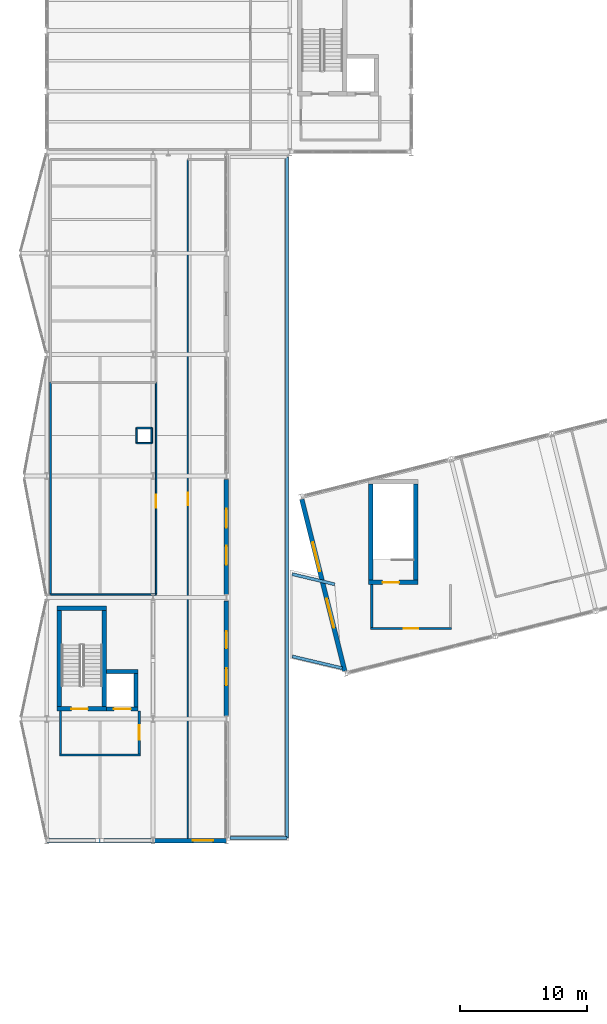
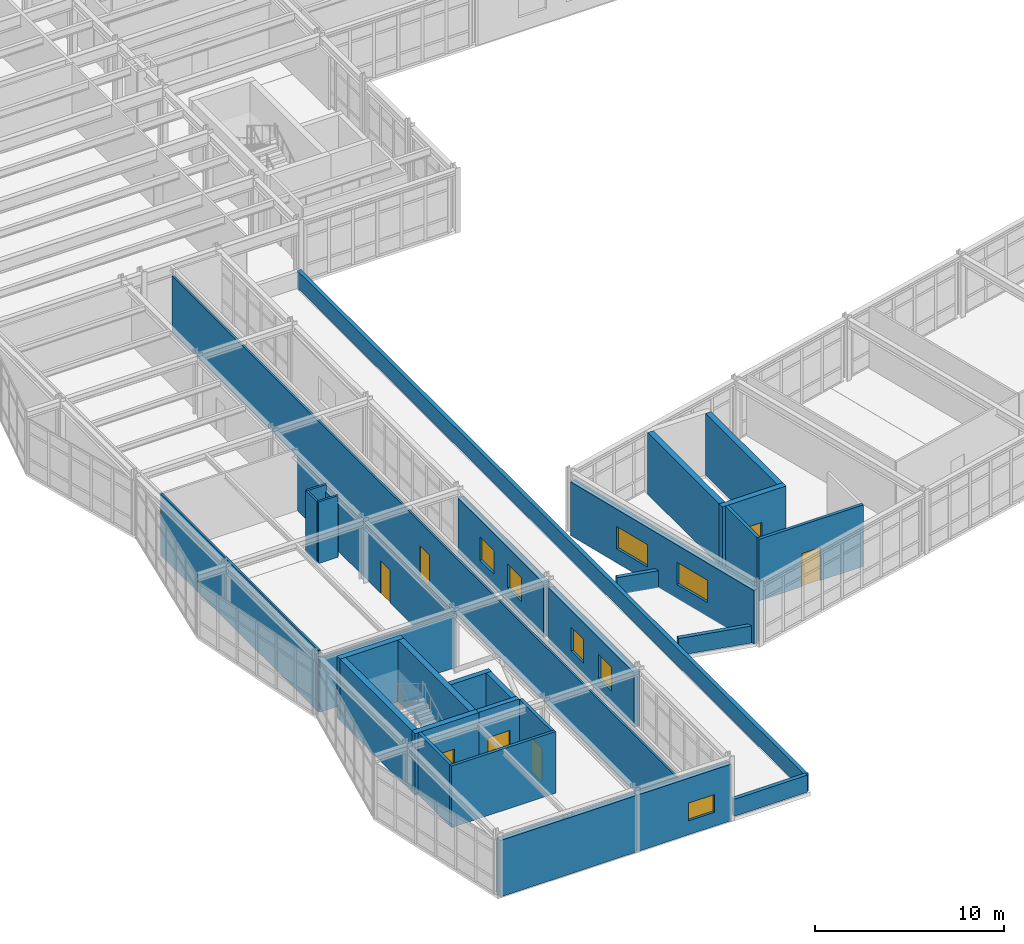
# One storey, part 54 of 64: 32 walls, 7 doors, 7 windows, 14 openings.
"""IFC4 building model written with IfcOpenShell, lengths in metres."""

from ifc_helpers import new_model, si_unit, direction, frame, frame_2d, origin, place, context, subcontext, project, spatial, rectangle, extrude, material, layer, layer_set, type_object, element, fill, save


model = new_model("IFC4")

# Units and contexts
model_context = context("Model", 3, precision=1e-05, world=origin(), true_north=direction((0.0, 1.0)))
body_context = subcontext(model_context, "Body", "Model", "MODEL_VIEW")
ifc_project = project(units=[si_unit("LENGTHUNIT", "METRE"), si_unit("AREAUNIT", "SQUARE_METRE"), si_unit("VOLUMEUNIT", "CUBIC_METRE"), si_unit("PLANEANGLEUNIT", "RADIAN"), si_unit("MASSUNIT", "GRAM", prefix="KILO")], contexts=[model_context])

# Site, building, storey
site_placement = place(None, origin())
site = spatial("IfcSite", under=ifc_project, at=site_placement, CompositionType="ELEMENT")
building_placement = place(site_placement, origin())
building = spatial("IfcBuilding", under=site, at=building_placement, Name="Nordkorset Police Headquarters", CompositionType="ELEMENT")
storey_placement = place(building_placement, frame((0.0, 0.0, 17.85009765625)))
storey = spatial("IfcBuildingStorey", under=building, at=storey_placement, Name="L04", CompositionType="ELEMENT", Elevation=17.85009765625)

# Walls
ifc_material_1 = material(Name="Gypsum board", Category="gypsum")
ifc_layer_1 = layer(ifc_material_1, 0.179931640625, Name="Gypsum board")
ifc_layer_set_1 = layer_set([ifc_layer_1], Name="Gypsum board")
wall_type_1 = type_object("IfcWallType", Name="Wall_Comp_180", PredefinedType="PARTITIONING", material=ifc_layer_set_1)
wall_1_placement = place(storey_placement, frame((1.0, 35.56005859375, 0.0), z_axis=(0.0, 0.0, 1.0), x_axis=(1.0, 0.0, 0.0)))
element("IfcWall", 1, at=wall_1_placement, inside=storey, type_object=wall_type_1, Name="Firefighting Lobby EI 60 Wall K4 L04 S", PredefinedType="PARTITIONING", context=body_context, shape_type="SweptSolid", body=[
    extrude(rectangle(XDim=6.39990234375, YDim=0.179931640625, at=frame_2d((3.199951171875, 0.0))), origin(), (0.0, 0.0, 1.0), 3.989990234375),
])
wall_2_placement = place(storey_placement, frame((1.090087890625, 35.64990234375, 0.0), z_axis=(0.0, 0.0, 1.0), x_axis=(0.0, 1.0, 0.0)))
element("IfcWall", 2, at=wall_2_placement, inside=storey, type_object=wall_type_1, Name="Firefighting Lobby EI 60 Wall K4 L04 W", PredefinedType="PARTITIONING", context=body_context, shape_type="SweptSolid", body=[
    extrude(rectangle(XDim=3.375, YDim=0.179931640625, at=frame_2d((1.6875, 0.0))), origin(), (0.0, 0.0, 1.0), 3.989990234375),
])

# Wall, opening, door
wall_3_placement = place(storey_placement, frame((7.31005859375, 35.64990234375, 0.0), z_axis=(0.0, 0.0, 1.0), x_axis=(0.0, 1.0, 0.0)))
wall_3 = element("IfcWall", 3, at=wall_3_placement, inside=storey, type_object=wall_type_1, Name="Firefighting Lobby EI 60 Wall K4 L04 E", PredefinedType="PARTITIONING", context=body_context, shape_type="SweptSolid", body=[
    extrude(rectangle(XDim=3.375, YDim=0.179931640625, at=frame_2d((1.6875, 0.0))), origin(), (0.0, 0.0, 1.0), 3.989990234375),
])
opening_1_placement = place(wall_3_placement, frame((1.112548828125, 0.0, 0.0)))
opening_1 = element("IfcOpeningElement", 4, at=opening_1_placement, cuts=wall_3, Name="Opening DR-01", PredefinedType="OPENING", context=body_context, shape_type="SweptSolid", body=[
    extrude(rectangle(XDim=1.14990234375, YDim=2.14990234375, at=frame_2d((0.574951171875, 1.074951171875))), frame((0.0, 0.10009765625, 0.0), z_axis=(0.0, -1.0, 0.0), x_axis=(1.0, 0.0, 0.0)), (0.0, 0.0, 1.0), 0.199951171875),
])
ifc_material_2 = material(Name="Steel S355J2", Category="steel")
door_type_1 = type_object("IfcDoorType", Name="Door_LobbySingle_1150x2150", OperationType="NOTDEFINED", PredefinedType="DOOR", material=ifc_material_2)
door_1_placement = place(opening_1_placement, origin())
door_1 = element("IfcDoor", 5, at=door_1_placement, inside=storey, type_object=door_type_1, Name="Firefighting Lobby Smoke Door K4 L04 E", OperationType="SINGLE_SWING_LEFT", OverallHeight=2.14990234375, OverallWidth=1.14990234375, PredefinedType="DOOR", context=body_context, shape_type="SweptSolid", body=[
    extrude(rectangle(XDim=1.14990234375, YDim=2.14990234375, at=frame_2d((0.574951171875, 1.074951171875))), frame((0.0, 0.02490234375, 0.0), z_axis=(0.0, -1.0, 0.0), x_axis=(1.0, 0.0, 0.0)), (0.0, 0.0, 1.0), 0.050048828125),
])
fill(opening_1, door_1)

wall_4_placement = place(storey_placement, frame((25.60009765625, 45.56005859375, 0.0), z_axis=(0.0, 0.0, 1.0), x_axis=(1.0, 0.0, 0.0)))
wall_4 = element("IfcWall", 6, at=wall_4_placement, inside=storey, type_object=wall_type_1, Name="Firefighting Lobby EI 60 Wall K7 L04 S", PredefinedType="PARTITIONING", context=body_context, shape_type="SweptSolid", body=[
    extrude(rectangle(XDim=6.39990234375, YDim=0.179931640625, at=frame_2d((3.199951171875, 0.0))), origin(), (0.0, 0.0, 1.0), 3.989990234375),
])
opening_2_placement = place(wall_4_placement, frame((2.625, 0.0, 0.0)))
opening_2 = element("IfcOpeningElement", 7, at=opening_2_placement, cuts=wall_4, Name="Opening DR-01", PredefinedType="OPENING", context=body_context, shape_type="SweptSolid", body=[
    extrude(rectangle(XDim=1.14990234375, YDim=2.14990234375, at=frame_2d((0.574951171875, 1.074951171875))), frame((0.0, 0.10009765625, 0.0), z_axis=(0.0, -1.0, 0.0), x_axis=(1.0, 0.0, 0.0)), (0.0, 0.0, 1.0), 0.199951171875),
])
door_2_placement = place(opening_2_placement, frame((1.14990234375, 0.0, 0.0), z_axis=(0.0, 0.0, 1.0), x_axis=(-1.0, 0.0, 0.0)))
door_2 = element("IfcDoor", 8, at=door_2_placement, inside=storey, type_object=door_type_1, Name="Firefighting Lobby Smoke Door K7 L04 S", OperationType="SINGLE_SWING_RIGHT", OverallHeight=2.14990234375, OverallWidth=1.14990234375, PredefinedType="DOOR", context=body_context, shape_type="SweptSolid", body=[
    extrude(rectangle(XDim=1.14990234375, YDim=2.14990234375, at=frame_2d((0.574951171875, 1.074951171875))), frame((0.0, 0.02490234375, 0.0), z_axis=(0.0, -1.0, 0.0), x_axis=(1.0, 0.0, 0.0)), (0.0, 0.0, 1.0), 0.050048828125),
])
fill(opening_2, door_2)

# Wall
wall_5_placement = place(storey_placement, frame((25.68994140625, 45.64990234375, 0.0), z_axis=(0.0, 0.0, 1.0), x_axis=(0.0, 1.0, 0.0)))
element("IfcWall", 9, at=wall_5_placement, inside=storey, type_object=wall_type_1, Name="Firefighting Lobby EI 60 Wall K7 L04 W", PredefinedType="PARTITIONING", context=body_context, shape_type="SweptSolid", body=[
    extrude(rectangle(XDim=3.375, YDim=0.179931640625, at=frame_2d((1.6875, 0.0))), origin(), (0.0, 0.0, 1.0), 3.989990234375),
])

# Wall, opening, door
ifc_material_3 = material(Name="Concrete C35/45", Category="concrete")
ifc_layer_2 = layer(ifc_material_3, 0.35009765625, Name="Concrete C35/45")
ifc_layer_set_2 = layer_set([ifc_layer_2], Name="Concrete C35/45")
wall_type_2 = type_object("IfcWallType", Name="Wall_CoreShear_350", PredefinedType="SHEAR", material=ifc_layer_set_2)
wall_6_placement = place(storey_placement, frame((0.824951171875, 39.199951171875, 0.0), z_axis=(0.0, 0.0, 1.0), x_axis=(1.0, 0.0, 0.0)))
wall_6 = element("IfcWall", 10, at=wall_6_placement, inside=storey, type_object=wall_type_2, Name="Core K4 Stair Shaft South Shear Wall L04", PredefinedType="SHEAR", context=body_context, shape_type="SweptSolid", body=[
    extrude(rectangle(XDim=3.900146484375, YDim=0.35009765625, at=frame_2d((1.9501953125, 0.0))), origin(), (0.0, 0.0, 1.0), 3.989990234375),
])
opening_3_placement = place(wall_6_placement, frame((1.125, 0.0, 0.0)))
opening_3 = element("IfcOpeningElement", 11, at=opening_3_placement, cuts=wall_6, Name="Opening DR-20", PredefinedType="OPENING", context=body_context, shape_type="SweptSolid", body=[
    extrude(rectangle(XDim=1.300048828125, YDim=2.14990234375, at=frame_2d((0.64990234375, 1.074951171875))), frame((0.0, 0.18505859375, 0.0), z_axis=(0.0, -1.0, 0.0), x_axis=(1.0, 0.0, 0.0)), (0.0, 0.0, 1.0), 0.3701171875),
])
ifc_material_4 = material(Name="Steel S355J2", Category="steel")
door_type_2 = type_object("IfcDoorType", Name="Door_Stair_1300x2150", OperationType="NOTDEFINED", PredefinedType="DOOR", material=ifc_material_4)
door_3_placement = place(opening_3_placement, frame((1.300048828125, 0.0, 0.0), z_axis=(0.0, 0.0, 1.0), x_axis=(-1.0, 0.0, 0.0)))
door_3 = element("IfcDoor", 12, at=door_3_placement, inside=storey, type_object=door_type_2, Name="Protected Stair Fire Door ST-04 L04", OperationType="SINGLE_SWING_RIGHT", OverallHeight=2.14990234375, OverallWidth=1.300048828125, PredefinedType="DOOR", context=body_context, shape_type="SweptSolid", body=[
    extrude(rectangle(XDim=1.300048828125, YDim=2.14990234375, at=frame_2d((0.64990234375, 1.074951171875))), frame((0.0, 0.02490234375, 0.0), z_axis=(0.0, -1.0, 0.0), x_axis=(1.0, 0.0, 0.0)), (0.0, 0.0, 1.0), 0.050048828125),
])
fill(opening_3, door_3)

# Walls
wall_7_placement = place(storey_placement, frame((0.824951171875, 47.14990234375, 0.0), z_axis=(0.0, 0.0, 1.0), x_axis=(1.0, 0.0, 0.0)))
element("IfcWall", 13, at=wall_7_placement, inside=storey, type_object=wall_type_2, Name="Core K4 Stair Shaft North Shear Wall L04", PredefinedType="SHEAR", context=body_context, shape_type="SweptSolid", body=[
    extrude(rectangle(XDim=3.900146484375, YDim=0.35009765625, at=frame_2d((1.9501953125, 0.0))), origin(), (0.0, 0.0, 1.0), 3.989990234375),
])
for number, where, z_axis, x_axis, name in (
    (14, (1.0, 39.375, 0.0), (0.0, 0.0, 1.0), (0.0, 1.0, 0.0), "Core K4 Stair Shaft West Shear Wall L04"),
    (15, (4.550048828125, 39.375, 0.0), (0.0, 0.0, 1.0), (0.0, 1.0, 0.0), "Core K4 Stair Shaft East Shear Wall L04"),
):
    element("IfcWall", number, at=place(storey_placement, frame(where, z_axis=z_axis, x_axis=x_axis)), inside=storey, type_object=wall_type_2, Name=name, PredefinedType="SHEAR", context=body_context, shape_type="SweptSolid", body=[
        extrude(rectangle(XDim=7.60009765625, YDim=0.35009765625, at=frame_2d((3.800048828125, 0.0))), origin(), (0.0, 0.0, 1.0), 3.989990234375),
    ])

# Wall, opening, door
wall_8_placement = place(storey_placement, frame((25.425048828125, 49.199951171875, 0.0), z_axis=(0.0, 0.0, 1.0), x_axis=(1.0, 0.0, 0.0)))
wall_8 = element("IfcWall", 16, at=wall_8_placement, inside=storey, type_object=wall_type_2, Name="Core K7 Stair Shaft South Shear Wall L04", PredefinedType="SHEAR", context=body_context, shape_type="SweptSolid", body=[
    extrude(rectangle(XDim=3.89990234375, YDim=0.35009765625, at=frame_2d((1.949951171875, 0.0))), origin(), (0.0, 0.0, 1.0), 3.989990234375),
])
opening_4_placement = place(wall_8_placement, frame((1.125, 0.0, 0.0)))
opening_4 = element("IfcOpeningElement", 17, at=opening_4_placement, cuts=wall_8, Name="Opening DR-20", PredefinedType="OPENING", context=body_context, shape_type="SweptSolid", body=[
    extrude(rectangle(XDim=1.300048828125, YDim=2.14990234375, at=frame_2d((0.64990234375, 1.074951171875))), frame((0.0, 0.18505859375, 0.0), z_axis=(0.0, -1.0, 0.0), x_axis=(1.0, 0.0, 0.0)), (0.0, 0.0, 1.0), 0.3701171875),
])
door_4_placement = place(opening_4_placement, frame((1.300048828125, 0.0, 0.0), z_axis=(0.0, 0.0, 1.0), x_axis=(-1.0, 0.0, 0.0)))
door_4 = element("IfcDoor", 18, at=door_4_placement, inside=storey, type_object=door_type_2, Name="Protected Stair Fire Door ST-08 L04", OperationType="SINGLE_SWING_LEFT", OverallHeight=2.14990234375, OverallWidth=1.300048828125, PredefinedType="DOOR", context=body_context, shape_type="SweptSolid", body=[
    extrude(rectangle(XDim=1.300048828125, YDim=2.14990234375, at=frame_2d((0.64990234375, 1.074951171875))), frame((0.0, 0.02490234375, 0.0), z_axis=(0.0, -1.0, 0.0), x_axis=(1.0, 0.0, 0.0)), (0.0, 0.0, 1.0), 0.050048828125),
])
fill(opening_4, door_4)

# Walls
for number, where, z_axis, x_axis, name in (
    (19, (25.60009765625, 49.375, 0.0), (0.0, 0.0, 1.0), (0.0, 1.0, 0.0), "Core K7 Stair Shaft West Shear Wall L04"),
    (20, (29.14990234375, 49.375, 0.0), (0.0, 0.0, 1.0), (0.0, 1.0, 0.0), "Core K7 Stair Shaft East Shear Wall L04"),
):
    element("IfcWall", number, at=place(storey_placement, frame(where, z_axis=z_axis, x_axis=x_axis)), inside=storey, type_object=wall_type_2, Name=name, PredefinedType="SHEAR", context=body_context, shape_type="SweptSolid", body=[
        extrude(rectangle(XDim=7.60009765625, YDim=0.35009765625, at=frame_2d((3.800048828125, 0.0))), origin(), (0.0, 0.0, 1.0), 3.989990234375),
    ])

# Wall, openings, windows
ifc_material_5 = material(Name="Precast concrete C40/50", Category="concrete")
ifc_layer_3 = layer(ifc_material_5, 0.360107421875, Name="Precast concrete C40/50")
ifc_layer_set_3 = layer_set([ifc_layer_3], Name="Precast concrete C40/50")
wall_type_3 = type_object("IfcWallType", Name="Wall_ExtPrecast_360", PredefinedType="SOLIDWALL", material=ifc_layer_set_3)
wall_9_placement = place(storey_placement, frame((14.199951171875, 38.652099609375, 0.0), z_axis=(0.0, 0.0, 1.0), x_axis=(0.0, 1.0, 0.0)))
wall_9 = element("IfcWall", 21, at=wall_9_placement, inside=storey, type_object=wall_type_3, Name="Exterior Insulated Precast Wall L04 V3E-1", PredefinedType="SOLIDWALL", context=body_context, shape_type="SweptSolid", body=[
    extrude(rectangle(XDim=9.095947265625, YDim=0.360107421875, at=frame_2d((4.5478515625, 0.0))), origin(), (0.0, 0.0, 1.0), 3.52978515625),
])
opening_5_placement = place(wall_9_placement, frame((2.40625, 0.0, 0.89990234375)))
opening_5 = element("IfcOpeningElement", 22, at=opening_5_placement, cuts=wall_9, Name="Opening WN-22", PredefinedType="OPENING", context=body_context, shape_type="SweptSolid", body=[
    extrude(rectangle(XDim=1.35009765625, YDim=1.550048828125, at=frame_2d((0.675048828125, 0.77490234375))), frame((0.0, 0.18994140625, 0.0), z_axis=(0.0, -1.0, 0.0), x_axis=(1.0, 0.0, 0.0)), (0.0, 0.0, 1.0), 0.380126953125),
])
opening_6_placement = place(wall_9_placement, frame((5.339599609375, 0.0, 0.89990234375)))
opening_6 = element("IfcOpeningElement", 23, at=opening_6_placement, cuts=wall_9, Name="Opening WN-22", PredefinedType="OPENING", context=body_context, shape_type="SweptSolid", body=[
    extrude(rectangle(XDim=1.35009765625, YDim=1.550048828125, at=frame_2d((0.675048828125, 0.77490234375))), frame((0.0, 0.18994140625, 0.0), z_axis=(0.0, -1.0, 0.0), x_axis=(1.0, 0.0, 0.0)), (0.0, 0.0, 1.0), 0.380126953125),
])
ifc_material_6 = material(Name="Low-iron triple glazing", Category="glass")
window_type_1 = type_object("IfcWindowType", Name="Win_1350x1550", PartitioningType="SINGLE_PANEL", PredefinedType="WINDOW", material=ifc_material_6)
window_1_placement = place(opening_5_placement, origin())
window_1 = element("IfcWindow", 24, at=window_1_placement, inside=storey, type_object=window_type_1, Name="Triple-Glazed Exterior Window L04 V3E-1-1", OverallHeight=1.550048828125, OverallWidth=1.35009765625, PartitioningType="SINGLE_PANEL", PredefinedType="WINDOW", context=body_context, shape_type="SweptSolid", body=[
    extrude(rectangle(XDim=1.35009765625, YDim=1.550048828125, at=frame_2d((0.675048828125, 0.77490234375))), frame((0.0, 0.030029296875, 0.0), z_axis=(0.0, -1.0, 0.0), x_axis=(1.0, 0.0, 0.0)), (0.0, 0.0, 1.0), 0.06005859375),
])
fill(opening_5, window_1)
window_2_placement = place(opening_6_placement, origin())
window_2 = element("IfcWindow", 25, at=window_2_placement, inside=storey, type_object=window_type_1, Name="Triple-Glazed Exterior Window L04 V3E-1-2", OverallHeight=1.550048828125, OverallWidth=1.35009765625, PartitioningType="SINGLE_PANEL", PredefinedType="WINDOW", context=body_context, shape_type="SweptSolid", body=[
    extrude(rectangle(XDim=1.35009765625, YDim=1.550048828125, at=frame_2d((0.675048828125, 0.77490234375))), frame((0.0, 0.030029296875, 0.0), z_axis=(0.0, -1.0, 0.0), x_axis=(1.0, 0.0, 0.0)), (0.0, 0.0, 1.0), 0.06005859375),
])
fill(opening_6, window_2)

wall_10_placement = place(storey_placement, frame((14.199951171875, 48.251953125, 0.0), z_axis=(0.0, 0.0, 1.0), x_axis=(0.0, 1.0, 0.0)))
wall_10 = element("IfcWall", 26, at=wall_10_placement, inside=storey, type_object=wall_type_3, Name="Exterior Insulated Precast Wall L04 V3E-2", PredefinedType="SOLIDWALL", context=body_context, shape_type="SweptSolid", body=[
    extrude(rectangle(XDim=9.095947265625, YDim=0.360107421875, at=frame_2d((4.5478515625, 0.0))), origin(), (0.0, 0.0, 1.0), 3.52978515625),
])
opening_7_placement = place(wall_10_placement, frame((2.331298828125, 0.0, 0.89990234375)))
opening_7 = element("IfcOpeningElement", 27, at=opening_7_placement, cuts=wall_10, Name="Opening WN-50", PredefinedType="OPENING", context=body_context, shape_type="SweptSolid", body=[
    extrude(rectangle(XDim=1.5, YDim=1.550048828125, at=frame_2d((0.75, 0.77490234375))), frame((0.0, 0.18994140625, 0.0), z_axis=(0.0, -1.0, 0.0), x_axis=(1.0, 0.0, 0.0)), (0.0, 0.0, 1.0), 0.380126953125),
])
opening_8_placement = place(wall_10_placement, frame((5.2646484375, 0.0, 0.89990234375)))
opening_8 = element("IfcOpeningElement", 28, at=opening_8_placement, cuts=wall_10, Name="Opening WN-50", PredefinedType="OPENING", context=body_context, shape_type="SweptSolid", body=[
    extrude(rectangle(XDim=1.5, YDim=1.550048828125, at=frame_2d((0.75, 0.77490234375))), frame((0.0, 0.18994140625, 0.0), z_axis=(0.0, -1.0, 0.0), x_axis=(1.0, 0.0, 0.0)), (0.0, 0.0, 1.0), 0.380126953125),
])
ifc_material_7 = material(Name="Low-iron triple glazing", Category="glass")
window_type_2 = type_object("IfcWindowType", Name="Win_1500x1550", PartitioningType="SINGLE_PANEL", PredefinedType="WINDOW", material=ifc_material_7)
window_3_placement = place(opening_7_placement, origin())
window_3 = element("IfcWindow", 29, at=window_3_placement, inside=storey, type_object=window_type_2, Name="Triple-Glazed Exterior Window L04 V3E-2-1", OverallHeight=1.550048828125, OverallWidth=1.5, PartitioningType="SINGLE_PANEL", PredefinedType="WINDOW", context=body_context, shape_type="SweptSolid", body=[
    extrude(rectangle(XDim=1.5, YDim=1.550048828125, at=frame_2d((0.75, 0.77490234375))), frame((0.0, 0.030029296875, 0.0), z_axis=(0.0, -1.0, 0.0), x_axis=(1.0, 0.0, 0.0)), (0.0, 0.0, 1.0), 0.06005859375),
])
fill(opening_7, window_3)
window_4_placement = place(opening_8_placement, origin())
window_4 = element("IfcWindow", 30, at=window_4_placement, inside=storey, type_object=window_type_2, Name="Triple-Glazed Exterior Window L04 V3E-2-2", OverallHeight=1.550048828125, OverallWidth=1.5, PartitioningType="SINGLE_PANEL", PredefinedType="WINDOW", context=body_context, shape_type="SweptSolid", body=[
    extrude(rectangle(XDim=1.5, YDim=1.550048828125, at=frame_2d((0.75, 0.77490234375))), frame((0.0, 0.030029296875, 0.0), z_axis=(0.0, -1.0, 0.0), x_axis=(1.0, 0.0, 0.0)), (0.0, 0.0, 1.0), 0.06005859375),
])
fill(opening_8, window_4)

# Wall
wall_11_placement = place(storey_placement, frame((0.00927734375, 28.800048828125, 0.0), z_axis=(0.0, 0.0, 1.0), x_axis=(1.0, 0.0, 0.0)))
element("IfcWall", 31, at=wall_11_placement, inside=storey, type_object=wall_type_3, Name="Exterior Insulated Precast Wall L04 V3S-0A", PredefinedType="SOLIDWALL", context=body_context, shape_type="SweptSolid", body=[
    extrude(rectangle(XDim=8.381591796875, YDim=0.360107421875, at=frame_2d((4.19091796875, 0.0))), origin(), (0.0, 0.0, 1.0), 3.659912109375),
])

# Wall, opening, window
wall_12_placement = place(storey_placement, frame((8.4091796875, 28.800048828125, 0.0), z_axis=(0.0, 0.0, 1.0), x_axis=(1.0, 0.0, 0.0)))
wall_12 = element("IfcWall", 32, at=wall_12_placement, inside=storey, type_object=wall_type_3, Name="Exterior Insulated Precast Wall L04 V3S-0B", PredefinedType="SOLIDWALL", context=body_context, shape_type="SweptSolid", body=[
    extrude(rectangle(XDim=5.781494140625, YDim=0.360107421875, at=frame_2d((2.890625, 0.0))), origin(), (0.0, 0.0, 1.0), 3.659912109375),
])
opening_9_placement = place(wall_12_placement, frame((3.140869140625, 0.0, 0.89990234375)))
opening_9 = element("IfcOpeningElement", 33, at=opening_9_placement, cuts=wall_12, Name="Opening WN-17", PredefinedType="OPENING", context=body_context, shape_type="SweptSolid", body=[
    extrude(rectangle(XDim=1.60009765625, YDim=1.14990234375, at=frame_2d((0.800048828125, 0.574951171875))), frame((0.0, 0.18994140625, 0.0), z_axis=(0.0, -1.0, 0.0), x_axis=(1.0, 0.0, 0.0)), (0.0, 0.0, 1.0), 0.380126953125),
])
ifc_material_8 = material(Name="Low-iron triple glazing", Category="glass")
window_type_3 = type_object("IfcWindowType", Name="Win_1600x1150", PartitioningType="SINGLE_PANEL", PredefinedType="WINDOW", material=ifc_material_8)
window_5_placement = place(opening_9_placement, origin())
window_5 = element("IfcWindow", 34, at=window_5_placement, inside=storey, type_object=window_type_3, Name="Triple-Glazed Exterior Window L04 V3S-0B-1", OverallHeight=1.14990234375, OverallWidth=1.60009765625, PartitioningType="SINGLE_PANEL", PredefinedType="WINDOW", context=body_context, shape_type="SweptSolid", body=[
    extrude(rectangle(XDim=1.60009765625, YDim=1.14990234375, at=frame_2d((0.800048828125, 0.574951171875))), frame((0.0, 0.030029296875, 0.0), z_axis=(0.0, -1.0, 0.0), x_axis=(1.0, 0.0, 0.0)), (0.0, 0.0, 1.0), 0.06005859375),
])
fill(opening_9, window_5)

# Wall, openings, windows
wall_13_placement = place(storey_placement, frame((23.551025390625, 42.196044921875, 0.0), z_axis=(0.0, 0.0, 1.0), x_axis=(-0.242535625036, 0.970142500145, 0.0)))
wall_13 = element("IfcWall", 35, at=wall_13_placement, inside=storey, type_object=wall_type_3, Name="Exterior Insulated Precast Wall L04 V4W-0", PredefinedType="SOLIDWALL", context=body_context, shape_type="SweptSolid", body=[
    extrude(rectangle(XDim=13.99609375, YDim=0.360107421875, at=frame_2d((6.998046875, 0.0))), origin(), (0.0, 0.0, 1.0), 3.4609375),
])
opening_10_placement = place(wall_13_placement, frame((3.52978515625, 0.0, 0.89990234375)))
opening_10 = element("IfcOpeningElement", 36, at=opening_10_placement, cuts=wall_13, Name="Opening WN-13", PredefinedType="OPENING", context=body_context, shape_type="SweptSolid", body=[
    extrude(rectangle(XDim=2.35009765625, YDim=1.449951171875, at=frame_2d((1.175048828125, 0.72509765625))), frame((0.0, 0.18994140625, 0.0), z_axis=(0.0, -1.0, 0.0), x_axis=(1.0, 0.0, 0.0)), (0.0, 0.0, 1.0), 0.380126953125),
])
opening_11_placement = place(wall_13_placement, frame((8.1162109375, 0.0, 0.89990234375)))
opening_11 = element("IfcOpeningElement", 37, at=opening_11_placement, cuts=wall_13, Name="Opening WN-13", PredefinedType="OPENING", context=body_context, shape_type="SweptSolid", body=[
    extrude(rectangle(XDim=2.35009765625, YDim=1.449951171875, at=frame_2d((1.175048828125, 0.72509765625))), frame((0.0, 0.18994140625, 0.0), z_axis=(0.0, -1.0, 0.0), x_axis=(1.0, 0.0, 0.0)), (0.0, 0.0, 1.0), 0.380126953125),
])
ifc_material_9 = material(Name="Low-iron triple glazing", Category="glass")
window_type_4 = type_object("IfcWindowType", Name="Win_2350x1450", PartitioningType="SINGLE_PANEL", PredefinedType="WINDOW", material=ifc_material_9)
window_6_placement = place(opening_10_placement, origin())
window_6 = element("IfcWindow", 38, at=window_6_placement, inside=storey, type_object=window_type_4, Name="Triple-Glazed Exterior Window L04 V4W-0-1", OverallHeight=1.449951171875, OverallWidth=2.35009765625, PartitioningType="SINGLE_PANEL", PredefinedType="WINDOW", context=body_context, shape_type="SweptSolid", body=[
    extrude(rectangle(XDim=2.35009765625, YDim=1.449951171875, at=frame_2d((1.175048828125, 0.72509765625))), frame((0.0, 0.030029296875, 0.0), z_axis=(0.0, -1.0, 0.0), x_axis=(1.0, 0.0, 0.0)), (0.0, 0.0, 1.0), 0.06005859375),
])
fill(opening_10, window_6)
window_7_placement = place(opening_11_placement, origin())
window_7 = element("IfcWindow", 39, at=window_7_placement, inside=storey, type_object=window_type_4, Name="Triple-Glazed Exterior Window L04 V4W-0-2", OverallHeight=1.449951171875, OverallWidth=2.35009765625, PartitioningType="SINGLE_PANEL", PredefinedType="WINDOW", context=body_context, shape_type="SweptSolid", body=[
    extrude(rectangle(XDim=2.35009765625, YDim=1.449951171875, at=frame_2d((1.175048828125, 0.72509765625))), frame((0.0, 0.030029296875, 0.0), z_axis=(0.0, -1.0, 0.0), x_axis=(1.0, 0.0, 0.0)), (0.0, 0.0, 1.0), 0.06005859375),
])
fill(opening_11, window_7)

# Walls
ifc_material_10 = material(Name="Precast concrete C40/50", Category="concrete")
ifc_layer_4 = layer(ifc_material_10, 0.239990234375, Name="Precast concrete C40/50")
ifc_layer_set_4 = layer_set([ifc_layer_4], Name="Precast concrete C40/50")
wall_type_4 = type_object("IfcWallType", Name="Wall_Parapet_240", PredefinedType="PARAPET", material=ifc_layer_set_4)
wall_14_placement = place(storey_placement, frame((14.5, 29.0, 0.0), z_axis=(0.0, 0.0, 1.0), x_axis=(1.0, 0.0, 0.0)))
element("IfcWall", 40, at=wall_14_placement, inside=storey, type_object=wall_type_4, Name="Flat Roof Parapet Wall V3SET-L04-1", PredefinedType="PARAPET", context=body_context, shape_type="SweptSolid", body=[
    extrude(rectangle(XDim=4.5, YDim=0.239990234375, at=frame_2d((2.25, 0.0))), origin(), (0.0, 0.0, 1.0), 1.099853515625),
])
wall_15_placement = place(storey_placement, frame((19.0, 29.0, 0.0), z_axis=(0.0, 0.0, 1.0), x_axis=(0.0, 1.0, 0.0)))
element("IfcWall", 41, at=wall_15_placement, inside=storey, type_object=wall_type_4, Name="Flat Roof Parapet Wall V3SET-L04-2", PredefinedType="PARAPET", context=body_context, shape_type="SweptSolid", body=[
    extrude(rectangle(XDim=53.800048828125, YDim=0.239990234375, at=frame_2d((26.89990234375, 0.0))), origin(), (0.0, 0.0, 1.0), 1.099853515625),
])
wall_16_placement = place(storey_placement, frame((19.39990234375, 43.35009765625, 0.0), z_axis=(0.0, 0.0, 1.0), x_axis=(0.973377705165, -0.229206987434, 0.0)))
element("IfcWall", 42, at=wall_16_placement, inside=storey, type_object=wall_type_4, Name="Flat Roof Parapet Wall BRGW-RF-1", PredefinedType="PARAPET", context=body_context, shape_type="SweptSolid", body=[
    extrude(rectangle(XDim=4.058349609375, YDim=0.239990234375, at=frame_2d((2.029296875, 0.0))), origin(), (0.0, 0.0, 1.0), 1.099853515625),
])
wall_17_placement = place(storey_placement, frame((22.75, 49.050048828125, 0.0), z_axis=(0.0, 0.0, 1.0), x_axis=(-0.97264855799, 0.232281688131, 0.0)))
element("IfcWall", 43, at=wall_17_placement, inside=storey, type_object=wall_type_4, Name="Flat Roof Parapet Wall BRGW-RF-3", PredefinedType="PARAPET", context=body_context, shape_type="SweptSolid", body=[
    extrude(rectangle(XDim=3.4443359375, YDim=0.239990234375, at=frame_2d((1.72216796875, 0.0))), origin(), (0.0, 0.0, 1.0), 1.099853515625),
])
ifc_material_11 = material(Name="Gypsum board", Category="gypsum")
ifc_layer_5 = layer(ifc_material_11, 0.1201171875, Name="Gypsum board")
ifc_layer_set_5 = layer_set([ifc_layer_5], Name="Gypsum board")
wall_type_5 = type_object("IfcWallType", Name="Wall_Part_120", PredefinedType="PARTITIONING", material=ifc_layer_set_5)
wall_18_placement = place(storey_placement, frame((0.300048828125, 48.25, 0.0), z_axis=(0.0, 0.0, 1.0), x_axis=(1.0, 0.0, 0.0)))
element("IfcWall", 44, at=wall_18_placement, inside=storey, type_object=wall_type_5, Name="Interior Partition Wall Forensic Quality Assurance Office", PredefinedType="PARTITIONING", context=body_context, shape_type="SweptSolid", body=[
    extrude(rectangle(XDim=8.33984375, YDim=0.1201171875, at=frame_2d((4.169921875, 0.0))), origin(), (0.0, 0.0, 1.0), 3.52978515625),
])

# Wall, opening, door
wall_19_placement = place(storey_placement, frame((8.639892578125, 48.25, 0.0), z_axis=(0.0, 0.0, 1.0), x_axis=(0.0, 1.0, 0.0)))
wall_19 = element("IfcWall", 45, at=wall_19_placement, inside=storey, type_object=wall_type_5, Name="Interior Partition Wall Forensic Quality Assurance Office", PredefinedType="PARTITIONING", context=body_context, shape_type="SweptSolid", body=[
    extrude(rectangle(XDim=16.75, YDim=0.1201171875, at=frame_2d((8.375, 0.0))), origin(), (0.0, 0.0, 1.0), 3.52978515625),
])
opening_12_placement = place(wall_19_placement, frame((6.864990234375, 0.0, 0.0)))
opening_12 = element("IfcOpeningElement", 46, at=opening_12_placement, cuts=wall_19, Name="Opening DR-19", PredefinedType="OPENING", context=body_context, shape_type="SweptSolid", body=[
    extrude(rectangle(XDim=1.02001953125, YDim=2.10009765625, at=frame_2d((0.510009765625, 1.050048828125))), frame((0.0, 0.070068359375, 0.0), z_axis=(0.0, -1.0, 0.0), x_axis=(1.0, 0.0, 0.0)), (0.0, 0.0, 1.0), 0.14013671875),
])
ifc_material_12 = material(Name="Glulam GL30c", Category="wood")
door_type_3 = type_object("IfcDoorType", Name="Door_Office_1020x2100", OperationType="NOTDEFINED", PredefinedType="DOOR", material=ifc_material_12)
door_5_placement = place(opening_12_placement, origin())
door_5 = element("IfcDoor", 47, at=door_5_placement, inside=storey, type_object=door_type_3, Name="Interior Door Forensic Quality Assurance Office", OperationType="SINGLE_SWING_LEFT", OverallHeight=2.10009765625, OverallWidth=1.02001953125, PredefinedType="DOOR", context=body_context, shape_type="SweptSolid", body=[
    extrude(rectangle(XDim=1.02001953125, YDim=2.10009765625, at=frame_2d((0.510009765625, 1.050048828125))), frame((0.0, 0.02490234375, 0.0), z_axis=(0.0, -1.0, 0.0), x_axis=(1.0, 0.0, 0.0)), (0.0, 0.0, 1.0), 0.050048828125),
])
fill(opening_12, door_5)

# Wall
wall_20_placement = place(storey_placement, frame((0.300048828125, 65.0, 0.0), z_axis=(0.0, 0.0, 1.0), x_axis=(0.0, -1.0, 0.0)))
element("IfcWall", 48, at=wall_20_placement, inside=storey, type_object=wall_type_5, Name="Interior Partition Wall Forensic Quality Assurance Office", PredefinedType="PARTITIONING", context=body_context, shape_type="SweptSolid", body=[
    extrude(rectangle(XDim=16.75, YDim=0.1201171875, at=frame_2d((8.375, 0.0))), origin(), (0.0, 0.0, 1.0), 3.989990234375),
])

# Wall, opening, door
wall_21_placement = place(storey_placement, frame((11.159912109375, 82.60009765625, 0.0), z_axis=(0.0, 0.0, 1.0), x_axis=(0.0, -1.0, 0.0)))
wall_21 = element("IfcWall", 49, at=wall_21_placement, inside=storey, type_object=wall_type_5, Name="Interior Partition Wall Forensic Accreditation Office", PredefinedType="PARTITIONING", context=body_context, shape_type="SweptSolid", body=[
    extrude(rectangle(XDim=53.625, YDim=0.1201171875, at=frame_2d((26.8125, 0.0))), origin(), (0.0, 0.0, 1.0), 3.60498046875),
])
opening_13_placement = place(wall_21_placement, frame((26.302490234375, 0.0, 0.0)))
opening_13 = element("IfcOpeningElement", 50, at=opening_13_placement, cuts=wall_21, Name="Opening DR-19", PredefinedType="OPENING", context=body_context, shape_type="SweptSolid", body=[
    extrude(rectangle(XDim=1.02001953125, YDim=2.10009765625, at=frame_2d((0.510009765625, 1.050048828125))), frame((0.0, 0.070068359375, 0.0), z_axis=(0.0, -1.0, 0.0), x_axis=(1.0, 0.0, 0.0)), (0.0, 0.0, 1.0), 0.14013671875),
])
door_6_placement = place(opening_13_placement, origin())
door_6 = element("IfcDoor", 51, at=door_6_placement, inside=storey, type_object=door_type_3, Name="Interior Door Forensic Accreditation Office", OperationType="SINGLE_SWING_LEFT", OverallHeight=2.10009765625, OverallWidth=1.02001953125, PredefinedType="DOOR", context=body_context, shape_type="SweptSolid", body=[
    extrude(rectangle(XDim=1.02001953125, YDim=2.10009765625, at=frame_2d((0.510009765625, 1.050048828125))), frame((0.0, 0.02490234375, 0.0), z_axis=(0.0, -1.0, 0.0), x_axis=(1.0, 0.0, 0.0)), (0.0, 0.0, 1.0), 0.050048828125),
])
fill(opening_13, door_6)

# Walls
ifc_material_13 = material(Name="Gypsum board", Category="gypsum")
ifc_layer_6 = layer(ifc_material_13, 0.125, Name="Gypsum board")
ifc_layer_set_6 = layer_set([ifc_layer_6], Name="Gypsum board")
wall_type_6 = type_object("IfcWallType", Name="Wall_Riser_125", PredefinedType="PARTITIONING", material=ifc_layer_set_6)
wall_22_placement = place(storey_placement, frame((7.10009765625, 60.199951171875, 0.0), z_axis=(0.0, 0.0, 1.0), x_axis=(1.0, 0.0, 0.0)))
element("IfcWall", 52, at=wall_22_placement, inside=storey, type_object=wall_type_6, Name="Service Riser Enclosure RSR-V3 L04", PredefinedType="PARTITIONING", context=body_context, shape_type="SweptSolid", body=[
    extrude(rectangle(XDim=1.199951171875, YDim=0.125, at=frame_2d((0.60009765625, 0.0))), origin(), (0.0, 0.0, 1.0), 3.989990234375),
])
wall_23_placement = place(storey_placement, frame((8.300048828125, 60.199951171875, 0.0), z_axis=(0.0, 0.0, 1.0), x_axis=(0.0, 1.0, 0.0)))
element("IfcWall", 53, at=wall_23_placement, inside=storey, type_object=wall_type_6, Name="Service Riser Enclosure RSR-V3 L04", PredefinedType="PARTITIONING", context=body_context, shape_type="SweptSolid", body=[
    extrude(rectangle(XDim=1.199951171875, YDim=0.125, at=frame_2d((0.60009765625, 0.0))), origin(), (0.0, 0.0, 1.0), 3.52978515625),
])
for number, where, z_axis, x_axis, name in (
    (54, (8.300048828125, 61.39990234375, 0.0), (0.0, 0.0, 1.0), (-1.0, 0.0, 0.0), "Service Riser Enclosure RSR-V3 L04"),
    (55, (7.10009765625, 61.39990234375, 0.0), (0.0, 0.0, 1.0), (0.0, -1.0, 0.0), "Service Riser Enclosure RSR-V3 L04"),
):
    element("IfcWall", number, at=place(storey_placement, frame(where, z_axis=z_axis, x_axis=x_axis)), inside=storey, type_object=wall_type_6, Name=name, PredefinedType="PARTITIONING", context=body_context, shape_type="SweptSolid", body=[
        extrude(rectangle(XDim=1.199951171875, YDim=0.125, at=frame_2d((0.60009765625, 0.0))), origin(), (0.0, 0.0, 1.0), 3.989990234375),
    ])

# Wall, opening, door
ifc_material_14 = material(Name="Concrete C35/45", Category="concrete")
ifc_layer_7 = layer(ifc_material_14, 0.300048828125, Name="Concrete C35/45")
ifc_layer_set_7 = layer_set([ifc_layer_7], Name="Concrete C35/45")
wall_type_7 = type_object("IfcWallType", Name="Wall_ShaftShear_300", PredefinedType="SHEAR", material=ifc_layer_set_7)
wall_24_placement = place(storey_placement, frame((4.72509765625, 39.199951171875, 0.0), z_axis=(0.0, 0.0, 1.0), x_axis=(1.0, 0.0, 0.0)))
wall_24 = element("IfcWall", 56, at=wall_24_placement, inside=storey, type_object=wall_type_7, Name="Lift Shaft LF-06 Front Shear Wall L04", PredefinedType="SHEAR", context=body_context, shape_type="SweptSolid", body=[
    extrude(rectangle(XDim=2.5, YDim=0.300048828125, at=frame_2d((1.25, 0.0))), origin(), (0.0, 0.0, 1.0), 3.989990234375),
])
opening_14_placement = place(wall_24_placement, frame((0.574951171875, 0.0, 0.0)))
opening_14 = element("IfcOpeningElement", 57, at=opening_14_placement, cuts=wall_24, Name="Opening LD-06", PredefinedType="OPENING", context=body_context, shape_type="SweptSolid", body=[
    extrude(rectangle(XDim=1.35009765625, YDim=2.14990234375, at=frame_2d((0.675048828125, 1.074951171875))), frame((0.0, 0.16015625, 0.0), z_axis=(0.0, -1.0, 0.0), x_axis=(1.0, 0.0, 0.0)), (0.0, 0.0, 1.0), 0.320068359375),
])
ifc_material_15 = material(Name="Steel S355J2", Category="steel")
door_type_4 = type_object("IfcDoorType", Name="Door_LiftGoods_1350x2150", OperationType="SLIDING_TO_RIGHT", PredefinedType="DOOR", material=ifc_material_15)
door_7_placement = place(opening_14_placement, frame((1.35009765625, 0.0, 0.0), z_axis=(0.0, 0.0, 1.0), x_axis=(-1.0, 0.0, 0.0)))
door_7 = element("IfcDoor", 58, at=door_7_placement, inside=storey, type_object=door_type_4, Name="Lift Landing Sliding Door LF-06 L04", OperationType="SLIDING_TO_RIGHT", OverallHeight=2.14990234375, OverallWidth=1.35009765625, PredefinedType="DOOR", context=body_context, shape_type="SweptSolid", body=[
    extrude(rectangle(XDim=1.35009765625, YDim=2.14990234375, at=frame_2d((0.675048828125, 1.074951171875))), frame((0.0, 0.02490234375, 0.0), z_axis=(0.0, -1.0, 0.0), x_axis=(1.0, 0.0, 0.0)), (0.0, 0.0, 1.0), 0.050048828125),
])
fill(opening_14, door_7)

# Walls
wall_25_placement = place(storey_placement, frame((4.72509765625, 42.14990234375, 0.0), z_axis=(0.0, 0.0, 1.0), x_axis=(1.0, 0.0, 0.0)))
element("IfcWall", 59, at=wall_25_placement, inside=storey, type_object=wall_type_7, Name="Lift Shaft LF-06 Rear Shear Wall L04", PredefinedType="SHEAR", context=body_context, shape_type="SweptSolid", body=[
    extrude(rectangle(XDim=2.5, YDim=0.300048828125, at=frame_2d((1.25, 0.0))), origin(), (0.0, 0.0, 1.0), 3.989990234375),
])
wall_26_placement = place(storey_placement, frame((7.050048828125, 39.35009765625, 0.0), z_axis=(0.0, 0.0, 1.0), x_axis=(0.0, 1.0, 0.0)))
element("IfcWall", 60, at=wall_26_placement, inside=storey, type_object=wall_type_7, Name="Lift Shaft LF-06 East Shear Wall L04", PredefinedType="SHEAR", context=body_context, shape_type="SweptSolid", body=[
    extrude(rectangle(XDim=2.64990234375, YDim=0.300048828125, at=frame_2d((1.324951171875, 0.0))), origin(), (0.0, 0.0, 1.0), 3.989990234375),
])

save(model, "model.ifc")
